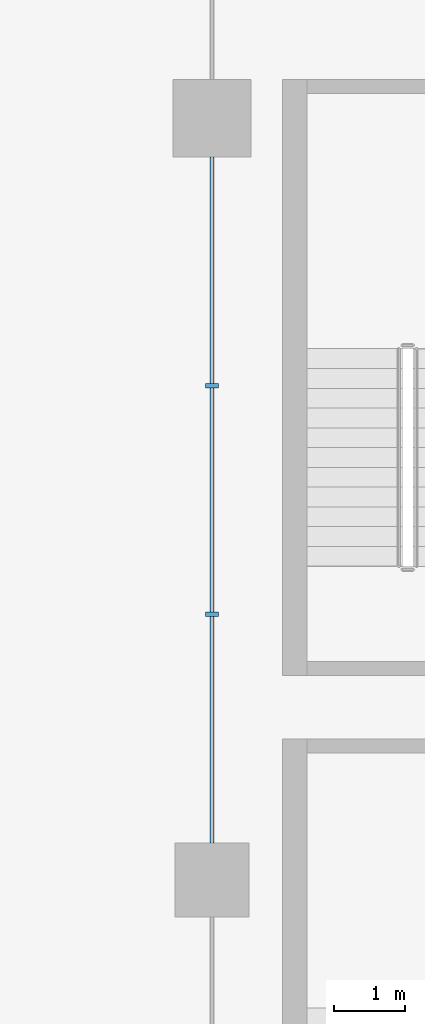
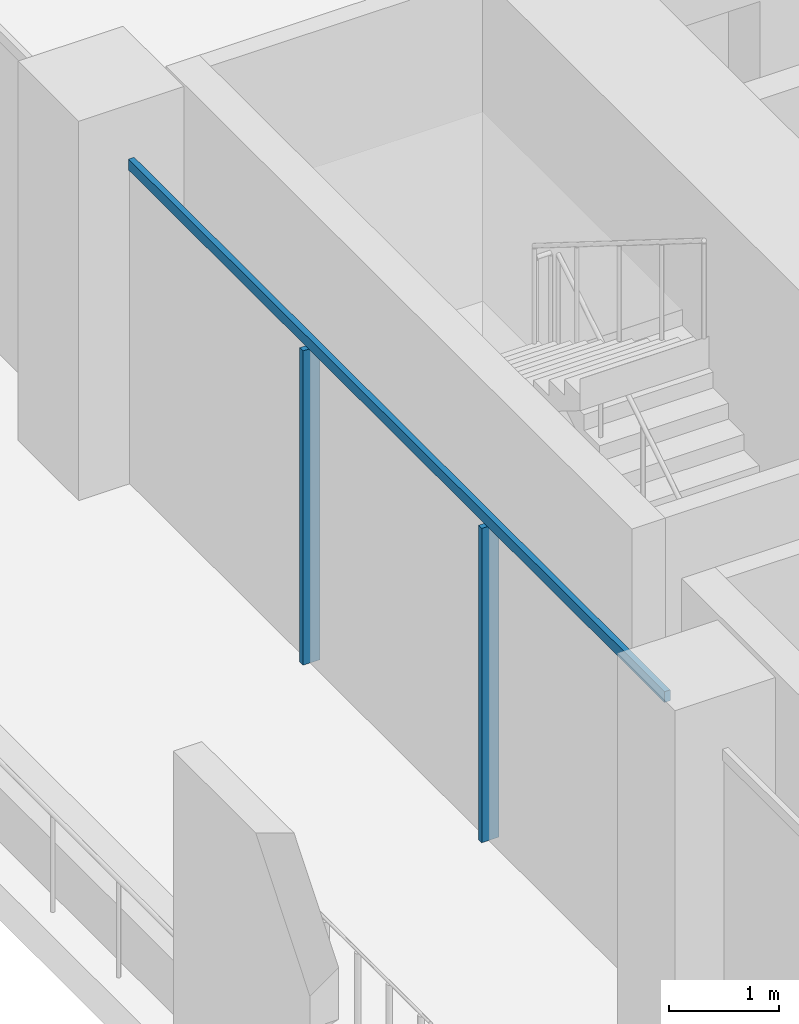
# One storey, part 5 of 29: 3 members, 1 element without a shape of its own.
"""IFC4 building model written with IfcOpenShell, lengths in metres."""

from ifc_helpers import new_model, si_unit, direction, frame, origin, origin_2d, place, context, subcontext, project, spatial, rectangle, extrude, material, layer, layer_set, material_profile, profile_set, type_object, element, aggregate, save


model = new_model("IFC4")

# Units and contexts
model_context = context("Model", 3, precision=1e-05, world=origin(), true_north=direction((0.0, 1.0)))
body_context = subcontext(model_context, "Body", "Model", "MODEL_VIEW")
ifc_project = project(units=[si_unit("LENGTHUNIT", "METRE"), si_unit("AREAUNIT", "SQUARE_METRE"), si_unit("VOLUMEUNIT", "CUBIC_METRE"), si_unit("PLANEANGLEUNIT", "RADIAN"), si_unit("MASSUNIT", "GRAM", prefix="KILO")], contexts=[model_context])

# Site, building, storey
site_placement = place(None, origin())
site = spatial("IfcSite", under=ifc_project, at=site_placement, CompositionType="ELEMENT")
building_placement = place(site_placement, origin())
building = spatial("IfcBuilding", under=site, at=building_placement, Name="Kawkab Arch Medical Tower", CompositionType="ELEMENT")
storey_placement = place(building_placement, frame((0.0, 0.0, 107.199951171875)))
storey = spatial("IfcBuildingStorey", under=building, at=storey_placement, Name="L24", CompositionType="ELEMENT", Elevation=107.199951171875)

# Curtain wall, members
ifc_material_1 = material(Name="Bronze anodised aluminium curtain wall frame", Category="aluminium")
ifc_layer = layer(ifc_material_1, 0.159912109375)
ifc_layer_set = layer_set([ifc_layer], Name="Bronze anodised aluminium curtain wall frame")
curtain_wall_type = type_object("IfcCurtainWallType", Name="CW1 ward curtain wall", PredefinedType="NOTDEFINED", material=ifc_layer_set)
curtain_wall_placement = place(storey_placement, origin())
curtain_wall = element("IfcCurtainWall", 1, at=curtain_wall_placement, inside=storey, type_object=curtain_wall_type, Name="CW1 Ward curtain wall R13", PredefinedType="NOTDEFINED")
ifc_material_2 = material(Name="Bronze anodised aluminium curtain wall frame", Category="aluminium")
ifc_material_profile_1 = material_profile(ifc_material_2, rectangle(XDim=0.179931640625, YDim=0.06005859375, at=origin_2d()), Name="AL 60x180")
ifc_profile_set_1 = profile_set([ifc_material_profile_1], Name="Bronze anodised aluminium curtain wall frame")
member_type_1 = type_object("IfcMemberType", Name="CW1 mullion 60 x 180", PredefinedType="MULLION", material=ifc_profile_set_1)
member_1_placement = place(storey_placement, frame((0.0, -9.791748046875, 0.0), z_axis=(0.0, 0.0, 1.0), x_axis=(1.0, 0.0, 0.0)))
member_1 = element("IfcMember", 2, at=member_1_placement, type_object=member_type_1, Name="CW1 mullion 2.1", PredefinedType="MULLION", context=body_context, shape_type="SweptSolid", body=[
    extrude(rectangle(XDim=0.179931640625, YDim=0.06005859375, at=origin_2d()), origin(), (0.0, 0.0, 1.0), 3.47998046875),
])
member_2_placement = place(storey_placement, frame((0.0, -13.033447265625, 0.0), z_axis=(0.0, 0.0, 1.0), x_axis=(1.0, 0.0, 0.0)))
member_2 = element("IfcMember", 3, at=member_2_placement, type_object=member_type_1, Name="CW1 mullion 2.2", PredefinedType="MULLION", context=body_context, shape_type="SweptSolid", body=[
    extrude(rectangle(XDim=0.179931640625, YDim=0.06005859375, at=origin_2d()), origin(), (0.0, 0.0, 1.0), 3.47998046875),
])
ifc_material_3 = material(Name="Bronze anodised aluminium curtain wall frame", Category="aluminium")
ifc_material_profile_2 = material_profile(ifc_material_3, rectangle(XDim=0.06005859375, YDim=0.1201171875, at=origin_2d()), Name="AL 60x120")
ifc_profile_set_2 = profile_set([ifc_material_profile_2], Name="Bronze anodised aluminium curtain wall frame")
member_type_2 = type_object("IfcMemberType", Name="CW1 transom 120 x 60", PredefinedType="USERDEFINED", material=ifc_profile_set_2)
member_3_placement = place(storey_placement, frame((0.0, -6.550048828125, 3.5400390625), z_axis=(0.0, -1.0, 0.0), x_axis=(1.0, 0.0, 0.0)))
member_3 = element("IfcMember", 4, at=member_3_placement, type_object=member_type_2, Name="CW1 transom 2", ObjectType="TRANSOM", PredefinedType="USERDEFINED", context=body_context, shape_type="SweptSolid", body=[
    extrude(rectangle(XDim=0.06005859375, YDim=0.1201171875, at=origin_2d()), origin(), (0.0, 0.0, 1.0), 9.724853515625),
])
aggregate(curtain_wall, [member_3, member_1, member_2])

save(model, "model.ifc")
